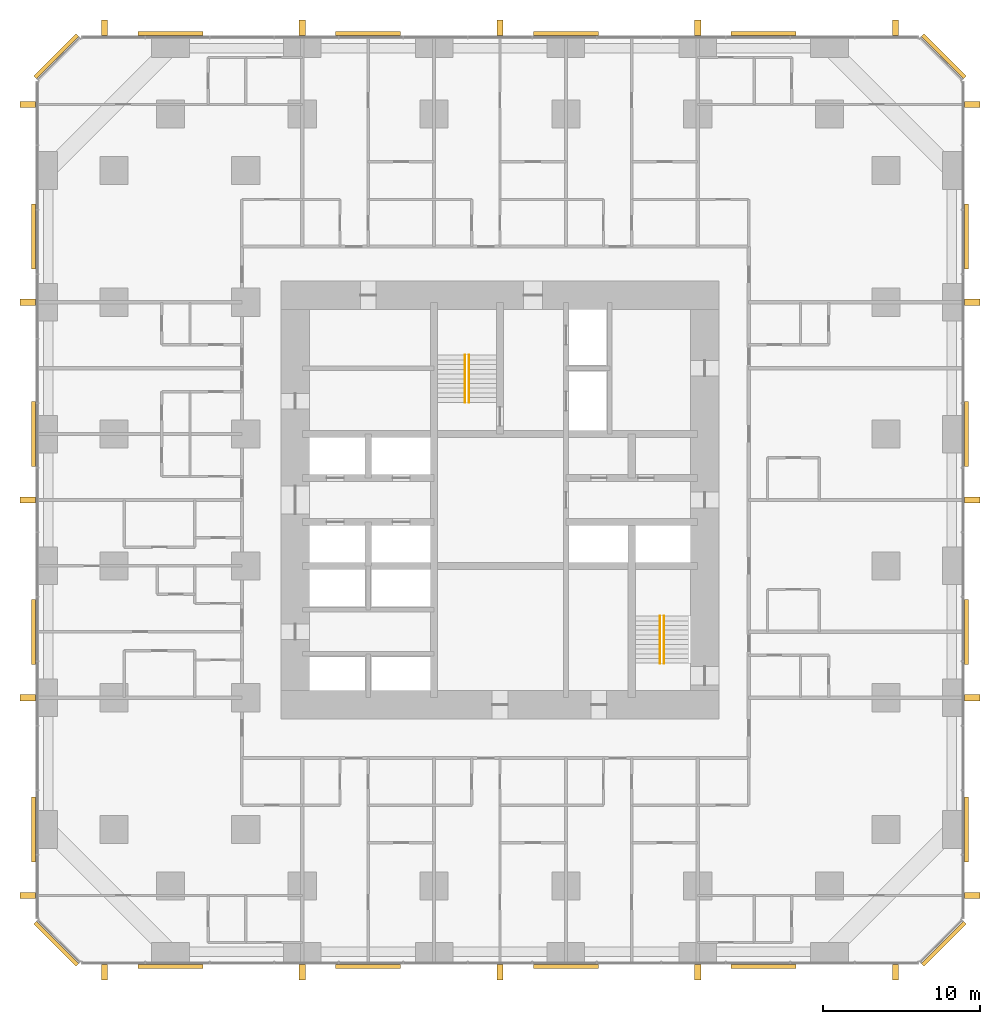
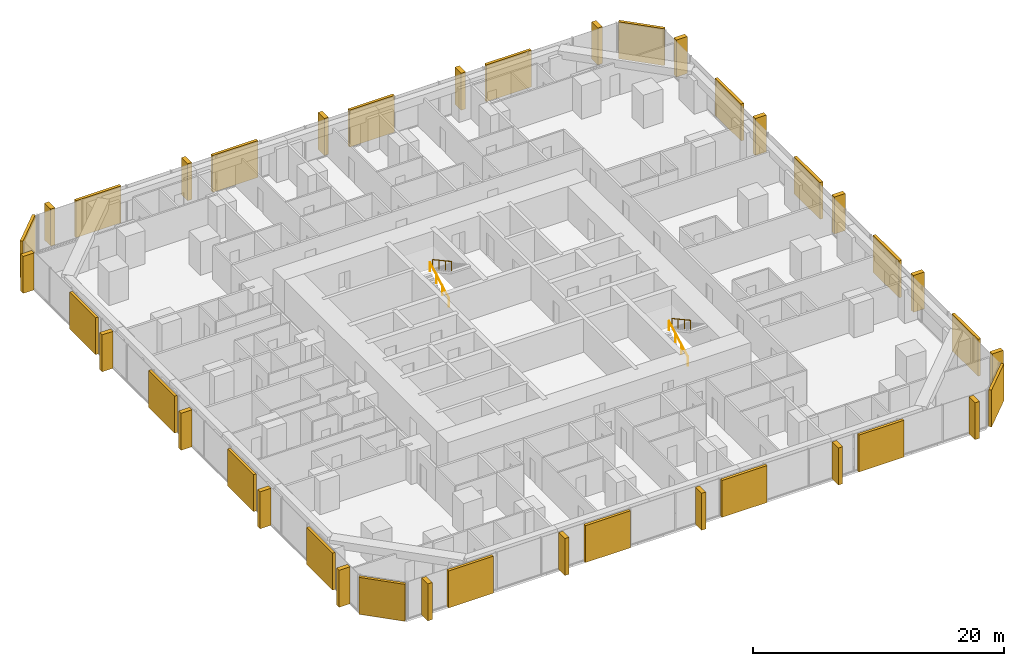
# One storey, part 17 of 17: 20 coverings, 20 shading devices, 4 railings.
"""IFC4 building model written with IfcOpenShell, lengths in metres."""

from ifc_helpers import new_model, si_unit, direction, frame, origin, origin_2d, place, context, subcontext, project, spatial, rectangle, circle, extrude, material, layer, layer_set, type_object, element, save


model = new_model("IFC4")

# Units and contexts
model_context = context("Model", 3, precision=1e-05, world=origin(), true_north=direction((0.0, 1.0)))
body_context = subcontext(model_context, "Body", "Model", "MODEL_VIEW")
ifc_project = project(units=[si_unit("LENGTHUNIT", "METRE"), si_unit("AREAUNIT", "SQUARE_METRE"), si_unit("VOLUMEUNIT", "CUBIC_METRE"), si_unit("PLANEANGLEUNIT", "RADIAN"), si_unit("MASSUNIT", "GRAM", prefix="KILO")], contexts=[model_context])

# Site, building, storey
site_placement = place(None, origin())
site = spatial("IfcSite", under=ifc_project, at=site_placement, CompositionType="ELEMENT")
building_placement = place(site_placement, origin())
building = spatial("IfcBuilding", under=site, at=building_placement, Name="Dunama Terrace Hotel", CompositionType="ELEMENT")
storey_placement = place(building_placement, frame((0.0, 0.0, 45.0)))
storey = spatial("IfcBuildingStorey", under=building, at=storey_placement, Name="L10", CompositionType="ELEMENT", Elevation=45.0)

# Railings
ifc_material_1 = material(Name="Stainless steel handrail", Category="steel")
railing_type = type_object("IfcRailingType", Name="Stair handrail 900", PredefinedType="HANDRAIL", material=ifc_material_1)
railing_1_placement = place(storey_placement, frame((27.175048828125, 35.625, 0.16357421875)))
element("IfcRailing", 1, at=railing_1_placement, inside=storey, type_object=railing_type, Name="Handrail ST1 L10", PredefinedType="HANDRAIL", context=body_context, shape_type="SweptSolid", body=[
    extrude(circle(Radius=0.02392578125, at=origin_2d()), frame((0.0, 0.0, 0.8759765625), z_axis=(0.0, 0.877881921179, 0.478877158013), x_axis=(-1.0, 0.0, 0.0)), (0.0, 0.0, 1.0), 3.417236328125),
    extrude(circle(Radius=0.02099609375, at=origin_2d()), origin(), (0.0, 0.0, 1.0), 0.851806640625),
    extrude(circle(Radius=0.02099609375, at=origin_2d()), frame((0.0, 1.0, 0.54541015625)), (0.0, 0.0, 1.0), 0.851806640625),
    extrude(circle(Radius=0.02099609375, at=origin_2d()), frame((0.0, 2.0, 1.091064453125)), (0.0, 0.0, 1.0), 0.851806640625),
    extrude(circle(Radius=0.02099609375, at=origin_2d()), frame((0.0, 3.0, 1.636474609375)), (0.0, 0.0, 1.0), 0.851806640625),
])
railing_2_placement = place(storey_placement, frame((27.425048828125, 38.625, 1.963623046875)))
element("IfcRailing", 2, at=railing_2_placement, inside=storey, type_object=railing_type, Name="Handrail ST1 L10", PredefinedType="HANDRAIL", context=body_context, shape_type="SweptSolid", body=[
    extrude(circle(Radius=0.02392578125, at=origin_2d()), frame((0.0, 0.0, 0.8759765625), z_axis=(0.0, -0.877881921179, 0.478877158013), x_axis=(1.0, 0.0, 0.0)), (0.0, 0.0, 1.0), 3.417236328125),
    extrude(circle(Radius=0.02099609375, at=origin_2d()), origin(), (0.0, 0.0, 1.0), 0.851806640625),
    extrude(circle(Radius=0.02099609375, at=origin_2d()), frame((0.0, -1.0, 0.54541015625)), (0.0, 0.0, 1.0), 0.851806640625),
    extrude(circle(Radius=0.02099609375, at=origin_2d()), frame((0.0, -2.0, 1.091064453125)), (0.0, 0.0, 1.0), 0.851806640625),
    extrude(circle(Radius=0.02099609375, at=origin_2d()), frame((0.0, -3.0, 1.636474609375)), (0.0, 0.0, 1.0), 0.851806640625),
])
railing_3_placement = place(storey_placement, frame((39.60009765625, 19.0, 0.16357421875)))
element("IfcRailing", 3, at=railing_3_placement, inside=storey, type_object=railing_type, Name="Handrail ST2 L10", PredefinedType="HANDRAIL", context=body_context, shape_type="SweptSolid", body=[
    extrude(circle(Radius=0.02392578125, at=origin_2d()), frame((0.0, 0.0, 0.8759765625), z_axis=(0.0, 0.877881921179, 0.478877158013), x_axis=(-1.0, 0.0, 0.0)), (0.0, 0.0, 1.0), 3.417236328125),
    extrude(circle(Radius=0.02099609375, at=origin_2d()), origin(), (0.0, 0.0, 1.0), 0.851806640625),
    extrude(circle(Radius=0.02099609375, at=origin_2d()), frame((0.0, 1.0, 0.54541015625)), (0.0, 0.0, 1.0), 0.851806640625),
    extrude(circle(Radius=0.02099609375, at=origin_2d()), frame((0.0, 2.0, 1.091064453125)), (0.0, 0.0, 1.0), 0.851806640625),
    extrude(circle(Radius=0.02099609375, at=origin_2d()), frame((0.0, 3.0, 1.636474609375)), (0.0, 0.0, 1.0), 0.851806640625),
])
railing_4_placement = place(storey_placement, frame((39.85009765625, 22.0, 1.963623046875)))
element("IfcRailing", 4, at=railing_4_placement, inside=storey, type_object=railing_type, Name="Handrail ST2 L10", PredefinedType="HANDRAIL", context=body_context, shape_type="SweptSolid", body=[
    extrude(circle(Radius=0.02392578125, at=origin_2d()), frame((0.0, 0.0, 0.8759765625), z_axis=(0.0, -0.877881921179, 0.478877158013), x_axis=(1.0, 0.0, 0.0)), (0.0, 0.0, 1.0), 3.417236328125),
    extrude(circle(Radius=0.02099609375, at=origin_2d()), origin(), (0.0, 0.0, 1.0), 0.851806640625),
    extrude(circle(Radius=0.02099609375, at=origin_2d()), frame((0.0, -1.0, 0.54541015625)), (0.0, 0.0, 1.0), 0.851806640625),
    extrude(circle(Radius=0.02099609375, at=origin_2d()), frame((0.0, -2.0, 1.091064453125)), (0.0, 0.0, 1.0), 0.851806640625),
    extrude(circle(Radius=0.02099609375, at=origin_2d()), frame((0.0, -3.0, 1.636474609375)), (0.0, 0.0, 1.0), 0.851806640625),
])

# Coverings
ifc_material_2 = material(Name="Warm reconstituted stone panel", Category="masonry")
ifc_layer_1 = layer(ifc_material_2, 0.25)
ifc_layer_set_1 = layer_set([ifc_layer_1], Name="Stone diagonal panel")
covering_type = type_object("IfcCoveringType", Name="Stone diagonal panel", PredefinedType="CLADDING", material=ifc_layer_set_1)
for number, where, z_axis, x_axis, name in (
    (5, (8.39990234375, -0.322998046875, 0.001953125), (0.0, 0.0, 1.0), (1.0, 0.0, 0.0), "Stone diagonal panel L10"),
    (6, (21.0, -0.322998046875, 0.001953125), (0.0, 0.0, 1.0), (1.0, 0.0, 0.0), "Stone diagonal panel L10"),
    (7, (33.60009765625, -0.322998046875, 0.001953125), (0.0, 0.0, 1.0), (1.0, 0.0, 0.0), "Stone diagonal panel L10"),
    (8, (46.199951171875, -0.322998046875, 0.001953125), (0.0, 0.0, 1.0), (1.0, 0.0, 0.0), "Stone diagonal panel L10"),
):
    element("IfcCovering", number, at=place(storey_placement, frame(where, z_axis=z_axis, x_axis=x_axis)), inside=storey, type_object=covering_type, Name=name, PredefinedType="CLADDING", context=body_context, shape_type="SweptSolid", body=[
        extrude(rectangle(XDim=4.14990234375, YDim=0.25, at=origin_2d()), origin(), (0.0, 0.0, 1.0), 3.595947265625),
    ])
covering_1_placement = place(storey_placement, frame((57.678955078125, 1.12109375, 0.001953125), z_axis=(0.0, 0.0, 1.0), x_axis=(0.707106781187, 0.707106781187, 0.0)))
element("IfcCovering", 9, at=covering_1_placement, inside=storey, type_object=covering_type, Name="Stone diagonal panel L10", PredefinedType="CLADDING", context=body_context, shape_type="SweptSolid", body=[
    extrude(rectangle(XDim=3.808349609375, YDim=0.25, at=origin_2d()), origin(), (0.0, 0.0, 1.0), 3.595947265625),
])
for number, where, z_axis, x_axis, name in (
    (10, (59.123046875, 8.39990234375, 0.001953125), (0.0, 0.0, 1.0), (0.0, 1.0, 0.0), "Stone diagonal panel L10"),
    (11, (59.123046875, 21.0, 0.001953125), (0.0, 0.0, 1.0), (0.0, 1.0, 0.0), "Stone diagonal panel L10"),
    (12, (59.123046875, 33.60009765625, 0.001953125), (0.0, 0.0, 1.0), (0.0, 1.0, 0.0), "Stone diagonal panel L10"),
    (13, (59.123046875, 46.199951171875, 0.001953125), (0.0, 0.0, 1.0), (0.0, 1.0, 0.0), "Stone diagonal panel L10"),
):
    element("IfcCovering", number, at=place(storey_placement, frame(where, z_axis=z_axis, x_axis=x_axis)), inside=storey, type_object=covering_type, Name=name, PredefinedType="CLADDING", context=body_context, shape_type="SweptSolid", body=[
        extrude(rectangle(XDim=4.14990234375, YDim=0.25, at=origin_2d()), origin(), (0.0, 0.0, 1.0), 3.595947265625),
    ])
covering_2_placement = place(storey_placement, frame((57.678955078125, 57.678955078125, 0.001953125), z_axis=(0.0, 0.0, 1.0), x_axis=(-0.707106781187, 0.707106781187, 0.0)))
element("IfcCovering", 14, at=covering_2_placement, inside=storey, type_object=covering_type, Name="Stone diagonal panel L10", PredefinedType="CLADDING", context=body_context, shape_type="SweptSolid", body=[
    extrude(rectangle(XDim=3.808349609375, YDim=0.25, at=origin_2d()), origin(), (0.0, 0.0, 1.0), 3.595947265625),
])
for number, where, z_axis, x_axis, name in (
    (15, (46.199951171875, 59.123046875, 0.001953125), (0.0, 0.0, 1.0), (-1.0, 0.0, 0.0), "Stone diagonal panel L10"),
    (16, (33.60009765625, 59.123046875, 0.001953125), (0.0, 0.0, 1.0), (-1.0, 0.0, 0.0), "Stone diagonal panel L10"),
    (17, (21.0, 59.123046875, 0.001953125), (0.0, 0.0, 1.0), (-1.0, 0.0, 0.0), "Stone diagonal panel L10"),
    (18, (8.39990234375, 59.123046875, 0.001953125), (0.0, 0.0, 1.0), (-1.0, 0.0, 0.0), "Stone diagonal panel L10"),
):
    element("IfcCovering", number, at=place(storey_placement, frame(where, z_axis=z_axis, x_axis=x_axis)), inside=storey, type_object=covering_type, Name=name, PredefinedType="CLADDING", context=body_context, shape_type="SweptSolid", body=[
        extrude(rectangle(XDim=4.14990234375, YDim=0.25, at=origin_2d()), origin(), (0.0, 0.0, 1.0), 3.595947265625),
    ])
covering_3_placement = place(storey_placement, frame((1.12109375, 57.678955078125, 0.001953125), z_axis=(0.0, 0.0, 1.0), x_axis=(-0.707106781187, -0.707106781187, 0.0)))
element("IfcCovering", 19, at=covering_3_placement, inside=storey, type_object=covering_type, Name="Stone diagonal panel L10", PredefinedType="CLADDING", context=body_context, shape_type="SweptSolid", body=[
    extrude(rectangle(XDim=3.808349609375, YDim=0.25, at=origin_2d()), origin(), (0.0, 0.0, 1.0), 3.595947265625),
])
for number, where, z_axis, x_axis, name in (
    (20, (-0.322998046875, 46.199951171875, 0.001953125), (0.0, 0.0, 1.0), (0.0, -1.0, 0.0), "Stone diagonal panel L10"),
    (21, (-0.322998046875, 33.60009765625, 0.001953125), (0.0, 0.0, 1.0), (0.0, -1.0, 0.0), "Stone diagonal panel L10"),
    (22, (-0.322998046875, 21.0, 0.001953125), (0.0, 0.0, 1.0), (0.0, -1.0, 0.0), "Stone diagonal panel L10"),
    (23, (-0.322998046875, 8.39990234375, 0.001953125), (0.0, 0.0, 1.0), (0.0, -1.0, 0.0), "Stone diagonal panel L10"),
):
    element("IfcCovering", number, at=place(storey_placement, frame(where, z_axis=z_axis, x_axis=x_axis)), inside=storey, type_object=covering_type, Name=name, PredefinedType="CLADDING", context=body_context, shape_type="SweptSolid", body=[
        extrude(rectangle(XDim=4.14990234375, YDim=0.25, at=origin_2d()), origin(), (0.0, 0.0, 1.0), 3.595947265625),
    ])
covering_4_placement = place(storey_placement, frame((1.12109375, 1.12109375, 0.001953125), z_axis=(0.0, 0.0, 1.0), x_axis=(0.707106781187, -0.707106781187, 0.0)))
element("IfcCovering", 24, at=covering_4_placement, inside=storey, type_object=covering_type, Name="Stone diagonal panel L10", PredefinedType="CLADDING", context=body_context, shape_type="SweptSolid", body=[
    extrude(rectangle(XDim=3.808349609375, YDim=0.25, at=origin_2d()), origin(), (0.0, 0.0, 1.0), 3.595947265625),
])

# Shading devices
ifc_material_3 = material(Name="Warm reconstituted stone fin", Category="masonry")
ifc_layer_2 = layer(ifc_material_3, 0.39990234375)
ifc_layer_set_2 = layer_set([ifc_layer_2], Name="Warm stone fin 400x1000")
shading_device_type = type_object("IfcShadingDeviceType", Name="Warm stone fin 400x1000", PredefinedType="USERDEFINED", material=ifc_layer_set_2)
for number, where, z_axis, x_axis, name in (
    (25, (4.199951171875, -0.68798828125, 0.0), (0.0, 0.0, 1.0), (1.0, 0.0, 0.0), "Stone fin"),
    (26, (16.800048828125, -0.68798828125, 0.0), (0.0, 0.0, 1.0), (1.0, 0.0, 0.0), "Stone fin"),
    (27, (29.39990234375, -0.68798828125, 0.0), (0.0, 0.0, 1.0), (1.0, 0.0, 0.0), "Stone fin"),
    (28, (42.0, -0.68798828125, 0.0), (0.0, 0.0, 1.0), (1.0, 0.0, 0.0), "Stone fin"),
    (29, (54.60009765625, -0.68798828125, 0.0), (0.0, 0.0, 1.0), (1.0, 0.0, 0.0), "Stone fin"),
    (30, (59.488037109375, 4.199951171875, 0.0), (0.0, 0.0, 1.0), (0.0, 1.0, 0.0), "Stone fin"),
    (31, (59.488037109375, 16.800048828125, 0.0), (0.0, 0.0, 1.0), (0.0, 1.0, 0.0), "Stone fin"),
    (32, (59.488037109375, 29.39990234375, 0.0), (0.0, 0.0, 1.0), (0.0, 1.0, 0.0), "Stone fin"),
    (33, (59.488037109375, 42.0, 0.0), (0.0, 0.0, 1.0), (0.0, 1.0, 0.0), "Stone fin"),
    (34, (59.488037109375, 54.60009765625, 0.0), (0.0, 0.0, 1.0), (0.0, 1.0, 0.0), "Stone fin"),
    (35, (54.60009765625, 59.488037109375, 0.0), (0.0, 0.0, 1.0), (-1.0, 0.0, 0.0), "Stone fin"),
    (36, (42.0, 59.488037109375, 0.0), (0.0, 0.0, 1.0), (-1.0, 0.0, 0.0), "Stone fin"),
    (37, (29.39990234375, 59.488037109375, 0.0), (0.0, 0.0, 1.0), (-1.0, 0.0, 0.0), "Stone fin"),
    (38, (16.800048828125, 59.488037109375, 0.0), (0.0, 0.0, 1.0), (-1.0, 0.0, 0.0), "Stone fin"),
    (39, (4.199951171875, 59.488037109375, 0.0), (0.0, 0.0, 1.0), (-1.0, 0.0, 0.0), "Stone fin"),
    (40, (-0.68798828125, 54.60009765625, 0.0), (0.0, 0.0, 1.0), (0.0, -1.0, 0.0), "Stone fin"),
    (41, (-0.68798828125, 42.0, 0.0), (0.0, 0.0, 1.0), (0.0, -1.0, 0.0), "Stone fin"),
    (42, (-0.68798828125, 29.39990234375, 0.0), (0.0, 0.0, 1.0), (0.0, -1.0, 0.0), "Stone fin"),
    (43, (-0.68798828125, 16.800048828125, 0.0), (0.0, 0.0, 1.0), (0.0, -1.0, 0.0), "Stone fin"),
    (44, (-0.68798828125, 4.199951171875, 0.0), (0.0, 0.0, 1.0), (0.0, -1.0, 0.0), "Stone fin"),
):
    element("IfcShadingDevice", number, at=place(storey_placement, frame(where, z_axis=z_axis, x_axis=x_axis)), inside=storey, type_object=shading_device_type, Name=name, ObjectType="FIN", PredefinedType="USERDEFINED", context=body_context, shape_type="SweptSolid", body=[
        extrude(rectangle(XDim=0.39990234375, YDim=1.0, at=origin_2d()), origin(), (0.0, 0.0, 1.0), 3.60009765625),
    ])

save(model, "model.ifc")
